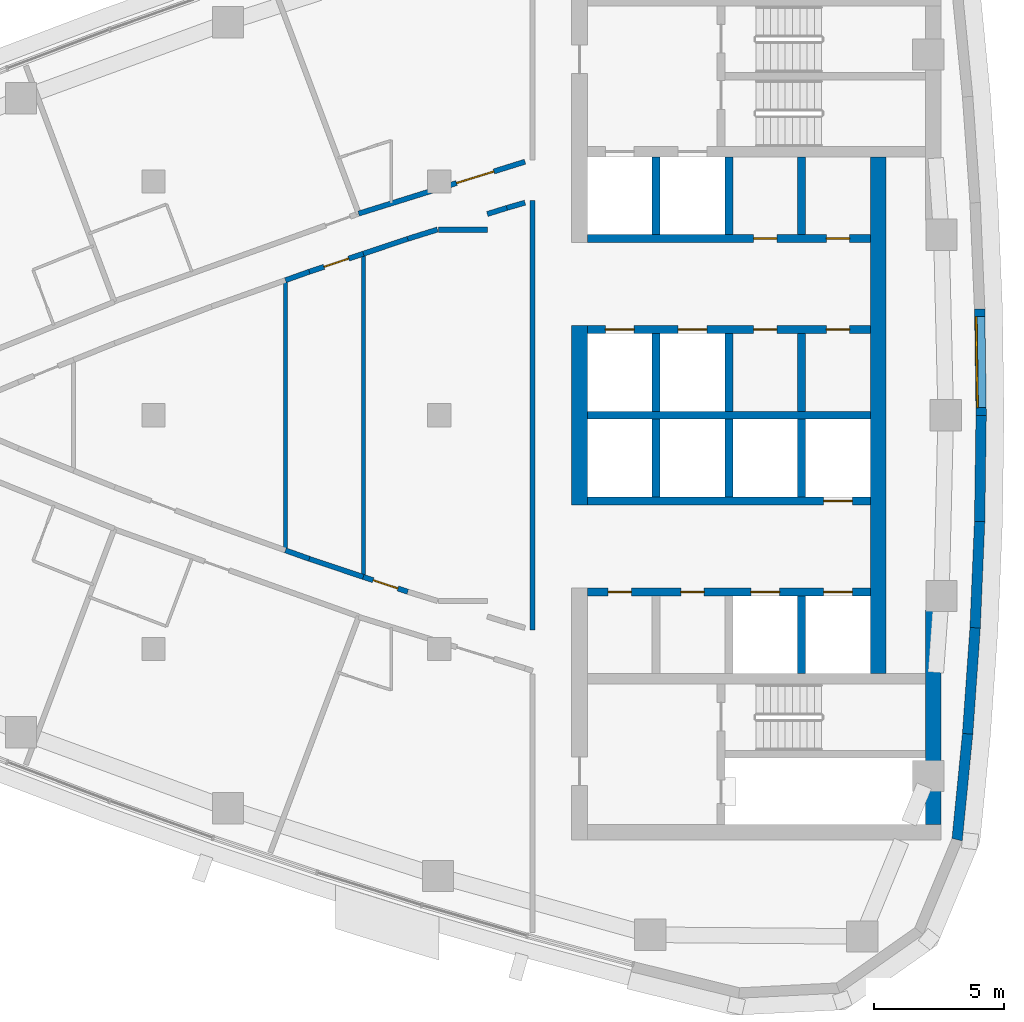
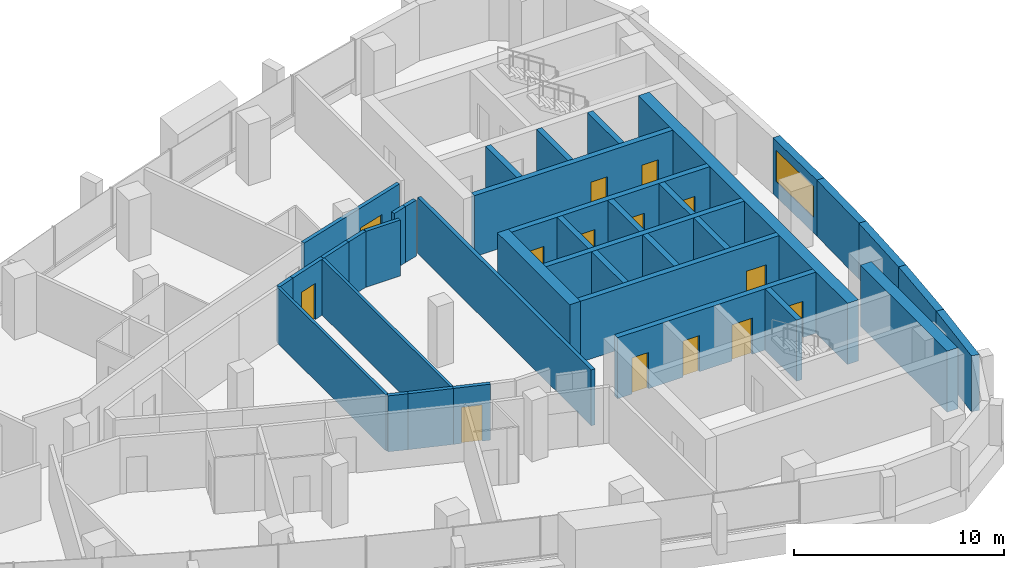
# One storey, part 10 of 15: 37 walls, 14 doors, 1 window, 15 openings.
"""IFC4 building model written with IfcOpenShell, lengths in metres."""

from ifc_helpers import new_model, si_unit, direction, frame, frame_2d, origin, place, context, subcontext, project, spatial, polyline, rectangle, outline, extrude, material, layer, layer_set, type_object, element, fill, save


model = new_model("IFC4")

# Units and contexts
model_context = context("Model", 3, precision=1e-05, world=origin(), true_north=direction((0.0, 1.0)))
body_context = subcontext(model_context, "Body", "Model", "MODEL_VIEW")
ifc_project = project(units=[si_unit("LENGTHUNIT", "METRE"), si_unit("AREAUNIT", "SQUARE_METRE"), si_unit("VOLUMEUNIT", "CUBIC_METRE"), si_unit("PLANEANGLEUNIT", "RADIAN"), si_unit("MASSUNIT", "GRAM", prefix="KILO")], contexts=[model_context])

# Site, building, storey
site_placement = place(None, origin())
site = spatial("IfcSite", under=ifc_project, at=site_placement, CompositionType="ELEMENT")
building_placement = place(site_placement, origin())
building = spatial("IfcBuilding", under=site, at=building_placement, Name="Ostrand Prow Hotel Tower", CompositionType="ELEMENT")
storey_placement = place(building_placement, frame((0.0, 0.0, 231.449951171875)))
storey = spatial("IfcBuildingStorey", under=building, at=storey_placement, Name="L58", CompositionType="ELEMENT", Elevation=231.449951171875)

# Wall
ifc_material_1 = material(Name="Concrete C50/60", Category="concrete")
ifc_layer_1 = layer(ifc_material_1, 0.300048828125)
ifc_layer_set_1 = layer_set([ifc_layer_1], Name="Concrete C50/60")
wall_type_1 = type_object("IfcWallType", Name="Core wall 300 C50/60", PredefinedType="SHEAR", material=ifc_layer_set_1)
wall_1_placement = place(storey_placement, frame((50.699951171875, 0.0, 0.0), z_axis=(0.0, 0.0, 1.0), x_axis=(1.0, 0.0, 0.0)))
element("IfcWall", 1, at=wall_1_placement, inside=storey, type_object=wall_type_1, Name="Core wall PW-C", PredefinedType="SHEAR", context=body_context, shape_type="SweptSolid", body=[
    extrude(rectangle(XDim=10.900146484375, YDim=0.300048828125, at=frame_2d((5.4501953125, 0.0))), origin(), (0.0, 0.0, 1.0), 3.550048828125),
])

# Wall, openings, doors
wall_2_placement = place(storey_placement, frame((50.699951171875, 3.300048828125, 0.0), z_axis=(0.0, 0.0, 1.0), x_axis=(1.0, 0.0, 0.0)))
wall_2 = element("IfcWall", 2, at=wall_2_placement, inside=storey, type_object=wall_type_1, Name="Core wall PW-L1-N", PredefinedType="SHEAR", context=body_context, shape_type="SweptSolid", body=[
    extrude(rectangle(XDim=10.900146484375, YDim=0.300048828125, at=frame_2d((5.4501953125, 0.0))), origin(), (0.0, 0.0, 1.0), 3.550048828125),
])
opening_1_placement = place(wall_2_placement, frame((0.699951171875, 0.0, 0.0)))
opening_1 = element("IfcOpeningElement", 3, at=opening_1_placement, cuts=wall_2, Name="Opening LD", PredefinedType="OPENING", context=body_context, shape_type="SweptSolid", body=[
    extrude(rectangle(XDim=1.10009765625, YDim=2.10009765625, at=frame_2d((0.550048828125, 1.050048828125))), frame((0.0, 0.159912109375, 0.0), z_axis=(0.0, -1.0, 0.0), x_axis=(1.0, 0.0, 0.0)), (0.0, 0.0, 1.0), 0.320068359375),
])
opening_2_placement = place(wall_2_placement, frame((3.5, 0.0, 0.0)))
opening_2 = element("IfcOpeningElement", 4, at=opening_2_placement, cuts=wall_2, Name="Opening LD", PredefinedType="OPENING", context=body_context, shape_type="SweptSolid", body=[
    extrude(rectangle(XDim=1.10009765625, YDim=2.10009765625, at=frame_2d((0.550048828125, 1.050048828125))), frame((0.0, 0.159912109375, 0.0), z_axis=(0.0, -1.0, 0.0), x_axis=(1.0, 0.0, 0.0)), (0.0, 0.0, 1.0), 0.320068359375),
])
opening_3_placement = place(wall_2_placement, frame((6.39990234375, 0.0, 0.0)))
opening_3 = element("IfcOpeningElement", 5, at=opening_3_placement, cuts=wall_2, Name="Opening FD2", PredefinedType="OPENING", context=body_context, shape_type="SweptSolid", body=[
    extrude(rectangle(XDim=0.89990234375, YDim=2.10009765625, at=frame_2d((0.449951171875, 1.050048828125))), frame((0.0, 0.159912109375, 0.0), z_axis=(0.0, -1.0, 0.0), x_axis=(1.0, 0.0, 0.0)), (0.0, 0.0, 1.0), 0.320068359375),
])
opening_4_placement = place(wall_2_placement, frame((9.199951171875, 0.0, 0.0)))
opening_4 = element("IfcOpeningElement", 6, at=opening_4_placement, cuts=wall_2, Name="Opening FD2", PredefinedType="OPENING", context=body_context, shape_type="SweptSolid", body=[
    extrude(rectangle(XDim=0.89990234375, YDim=2.10009765625, at=frame_2d((0.449951171875, 1.050048828125))), frame((0.0, 0.159912109375, 0.0), z_axis=(0.0, -1.0, 0.0), x_axis=(1.0, 0.0, 0.0)), (0.0, 0.0, 1.0), 0.320068359375),
])
ifc_material_2 = material(Name="Steel fire door", Category="steel")
door_type_1 = type_object("IfcDoorType", Name="Fire door 900 EI120", OperationType="SINGLE_SWING_LEFT", PredefinedType="DOOR", material=ifc_material_2)
door_1_placement = place(opening_3_placement, origin())
door_1 = element("IfcDoor", 7, at=door_1_placement, inside=storey, type_object=door_type_1, Name="DOOR", OperationType="SINGLE_SWING_LEFT", OverallHeight=2.10009765625, OverallWidth=0.89990234375, PredefinedType="DOOR", context=body_context, shape_type="SweptSolid", body=[
    extrude(rectangle(XDim=0.89990234375, YDim=2.10009765625, at=frame_2d((0.449951171875, 1.050048828125))), frame((0.0, 0.02490234375, 0.0), z_axis=(0.0, -1.0, 0.0), x_axis=(1.0, 0.0, 0.0)), (0.0, 0.0, 1.0), 0.050048828125),
])
fill(opening_3, door_1)
door_2_placement = place(opening_4_placement, origin())
door_2 = element("IfcDoor", 8, at=door_2_placement, inside=storey, type_object=door_type_1, Name="DOOR", OperationType="SINGLE_SWING_LEFT", OverallHeight=2.10009765625, OverallWidth=0.89990234375, PredefinedType="DOOR", context=body_context, shape_type="SweptSolid", body=[
    extrude(rectangle(XDim=0.89990234375, YDim=2.10009765625, at=frame_2d((0.449951171875, 1.050048828125))), frame((0.0, 0.02490234375, 0.0), z_axis=(0.0, -1.0, 0.0), x_axis=(1.0, 0.0, 0.0)), (0.0, 0.0, 1.0), 0.050048828125),
])
fill(opening_4, door_2)
ifc_material_3 = material(Name="Stainless steel door", Category="steel")
door_type_2 = type_object("IfcDoorType", Name="Lift landing door 1100", OperationType="DOUBLE_DOOR_SLIDING", PredefinedType="DOOR", material=ifc_material_3)
door_3_placement = place(opening_1_placement, origin())
door_3 = element("IfcDoor", 9, at=door_3_placement, inside=storey, type_object=door_type_2, Name="LIFT LANDING DOOR", OperationType="DOUBLE_DOOR_SLIDING", OverallHeight=2.10009765625, OverallWidth=1.10009765625, PredefinedType="DOOR", context=body_context, shape_type="SweptSolid", body=[
    extrude(rectangle(XDim=1.10009765625, YDim=2.10009765625, at=frame_2d((0.550048828125, 1.050048828125))), frame((0.0, 0.02490234375, 0.0), z_axis=(0.0, -1.0, 0.0), x_axis=(1.0, 0.0, 0.0)), (0.0, 0.0, 1.0), 0.050048828125),
])
fill(opening_1, door_3)
door_4_placement = place(opening_2_placement, origin())
door_4 = element("IfcDoor", 10, at=door_4_placement, inside=storey, type_object=door_type_2, Name="LIFT LANDING DOOR", OperationType="DOUBLE_DOOR_SLIDING", OverallHeight=2.10009765625, OverallWidth=1.10009765625, PredefinedType="DOOR", context=body_context, shape_type="SweptSolid", body=[
    extrude(rectangle(XDim=1.10009765625, YDim=2.10009765625, at=frame_2d((0.550048828125, 1.050048828125))), frame((0.0, 0.02490234375, 0.0), z_axis=(0.0, -1.0, 0.0), x_axis=(1.0, 0.0, 0.0)), (0.0, 0.0, 1.0), 0.050048828125),
])
fill(opening_2, door_4)

wall_3_placement = place(storey_placement, frame((50.699951171875, 6.800048828125, 0.0), z_axis=(0.0, 0.0, 1.0), x_axis=(1.0, 0.0, 0.0)))
wall_3 = element("IfcWall", 11, at=wall_3_placement, inside=storey, type_object=wall_type_1, Name="Core wall PW-L2-N", PredefinedType="SHEAR", context=body_context, shape_type="SweptSolid", body=[
    extrude(rectangle(XDim=10.900146484375, YDim=0.300048828125, at=frame_2d((5.4501953125, 0.0))), origin(), (0.0, 0.0, 1.0), 3.550048828125),
])
opening_5_placement = place(wall_3_placement, frame((6.39990234375, 0.0, 0.0)))
opening_5 = element("IfcOpeningElement", 12, at=opening_5_placement, cuts=wall_3, Name="Opening FD2", PredefinedType="OPENING", context=body_context, shape_type="SweptSolid", body=[
    extrude(rectangle(XDim=0.89990234375, YDim=2.10009765625, at=frame_2d((0.449951171875, 1.050048828125))), frame((0.0, 0.159912109375, 0.0), z_axis=(0.0, -1.0, 0.0), x_axis=(1.0, 0.0, 0.0)), (0.0, 0.0, 1.0), 0.320068359375),
])
opening_6_placement = place(wall_3_placement, frame((9.199951171875, 0.0, 0.0)))
opening_6 = element("IfcOpeningElement", 13, at=opening_6_placement, cuts=wall_3, Name="Opening FD2", PredefinedType="OPENING", context=body_context, shape_type="SweptSolid", body=[
    extrude(rectangle(XDim=0.89990234375, YDim=2.10009765625, at=frame_2d((0.449951171875, 1.050048828125))), frame((0.0, 0.159912109375, 0.0), z_axis=(0.0, -1.0, 0.0), x_axis=(1.0, 0.0, 0.0)), (0.0, 0.0, 1.0), 0.320068359375),
])
door_5_placement = place(opening_5_placement, origin())
door_5 = element("IfcDoor", 14, at=door_5_placement, inside=storey, type_object=door_type_1, Name="DOOR", OperationType="SINGLE_SWING_LEFT", OverallHeight=2.10009765625, OverallWidth=0.89990234375, PredefinedType="DOOR", context=body_context, shape_type="SweptSolid", body=[
    extrude(rectangle(XDim=0.89990234375, YDim=2.10009765625, at=frame_2d((0.449951171875, 1.050048828125))), frame((0.0, 0.02490234375, 0.0), z_axis=(0.0, -1.0, 0.0), x_axis=(1.0, 0.0, 0.0)), (0.0, 0.0, 1.0), 0.050048828125),
])
fill(opening_5, door_5)
door_6_placement = place(opening_6_placement, origin())
door_6 = element("IfcDoor", 15, at=door_6_placement, inside=storey, type_object=door_type_1, Name="DOOR", OperationType="SINGLE_SWING_LEFT", OverallHeight=2.10009765625, OverallWidth=0.89990234375, PredefinedType="DOOR", context=body_context, shape_type="SweptSolid", body=[
    extrude(rectangle(XDim=0.89990234375, YDim=2.10009765625, at=frame_2d((0.449951171875, 1.050048828125))), frame((0.0, 0.02490234375, 0.0), z_axis=(0.0, -1.0, 0.0), x_axis=(1.0, 0.0, 0.0)), (0.0, 0.0, 1.0), 0.050048828125),
])
fill(opening_6, door_6)

# Walls
for number, where, z_axis, x_axis, name in (
    (16, (53.35009765625, 0.14990234375, 0.0), (0.0, 0.0, 1.0), (0.0, 1.0, 0.0), "Core wall PW-R1-NB"),
    (17, (53.35009765625, 6.949951171875, 0.0), (0.0, 0.0, 1.0), (0.0, 1.0, 0.0), "Core wall PW-R1-NA"),
    (18, (56.14990234375, 0.14990234375, 0.0), (0.0, 0.0, 1.0), (0.0, 1.0, 0.0), "Core wall PW-R2-NB"),
    (19, (56.14990234375, 6.949951171875, 0.0), (0.0, 0.0, 1.0), (0.0, 1.0, 0.0), "Core wall PW-R2-NA"),
    (20, (58.949951171875, 0.14990234375, 0.0), (0.0, 0.0, 1.0), (0.0, 1.0, 0.0), "Core wall PW-R3-NB"),
    (21, (58.949951171875, 6.949951171875, 0.0), (0.0, 0.0, 1.0), (0.0, 1.0, 0.0), "Core wall PW-R3-NA"),
):
    element("IfcWall", number, at=place(storey_placement, frame(where, z_axis=z_axis, x_axis=x_axis)), inside=storey, type_object=wall_type_1, Name=name, PredefinedType="SHEAR", context=body_context, shape_type="SweptSolid", body=[
        extrude(rectangle(XDim=3.0, YDim=0.300048828125, at=frame_2d((1.5, 0.0))), origin(), (0.0, 0.0, 1.0), 3.550048828125),
    ])

# Wall, opening, door
wall_4_placement = place(storey_placement, frame((50.699951171875, -3.300048828125, 0.0), z_axis=(0.0, 0.0, 1.0), x_axis=(1.0, 0.0, 0.0)))
wall_4 = element("IfcWall", 22, at=wall_4_placement, inside=storey, type_object=wall_type_1, Name="Core wall PW-L1-S", PredefinedType="SHEAR", context=body_context, shape_type="SweptSolid", body=[
    extrude(rectangle(XDim=10.900146484375, YDim=0.300048828125, at=frame_2d((5.4501953125, 0.0))), origin(), (0.0, 0.0, 1.0), 3.550048828125),
])
opening_7_placement = place(wall_4_placement, frame((9.10009765625, 0.0, 0.0)))
opening_7 = element("IfcOpeningElement", 23, at=opening_7_placement, cuts=wall_4, Name="Opening LD", PredefinedType="OPENING", context=body_context, shape_type="SweptSolid", body=[
    extrude(rectangle(XDim=1.10009765625, YDim=2.10009765625, at=frame_2d((0.550048828125, 1.050048828125))), frame((0.0, 0.159912109375, 0.0), z_axis=(0.0, -1.0, 0.0), x_axis=(1.0, 0.0, 0.0)), (0.0, 0.0, 1.0), 0.320068359375),
])
door_7_placement = place(opening_7_placement, origin())
door_7 = element("IfcDoor", 24, at=door_7_placement, inside=storey, type_object=door_type_2, Name="LIFT LANDING DOOR", OperationType="DOUBLE_DOOR_SLIDING", OverallHeight=2.10009765625, OverallWidth=1.10009765625, PredefinedType="DOOR", context=body_context, shape_type="SweptSolid", body=[
    extrude(rectangle(XDim=1.10009765625, YDim=2.10009765625, at=frame_2d((0.550048828125, 1.050048828125))), frame((0.0, 0.02490234375, 0.0), z_axis=(0.0, -1.0, 0.0), x_axis=(1.0, 0.0, 0.0)), (0.0, 0.0, 1.0), 0.050048828125),
])
fill(opening_7, door_7)

# Wall, openings, doors
wall_5_placement = place(storey_placement, frame((50.699951171875, -6.800048828125, 0.0), z_axis=(0.0, 0.0, 1.0), x_axis=(1.0, 0.0, 0.0)))
wall_5 = element("IfcWall", 25, at=wall_5_placement, inside=storey, type_object=wall_type_1, Name="Core wall PW-L2-S", PredefinedType="SHEAR", context=body_context, shape_type="SweptSolid", body=[
    extrude(rectangle(XDim=10.900146484375, YDim=0.300048828125, at=frame_2d((5.4501953125, 0.0))), origin(), (0.0, 0.0, 1.0), 3.550048828125),
])
opening_8_placement = place(wall_5_placement, frame((6.300048828125, 0.0, 0.0)))
opening_8 = element("IfcOpeningElement", 26, at=opening_8_placement, cuts=wall_5, Name="Opening LD", PredefinedType="OPENING", context=body_context, shape_type="SweptSolid", body=[
    extrude(rectangle(XDim=1.10009765625, YDim=2.10009765625, at=frame_2d((0.550048828125, 1.050048828125))), frame((0.0, 0.159912109375, 0.0), z_axis=(0.0, -1.0, 0.0), x_axis=(1.0, 0.0, 0.0)), (0.0, 0.0, 1.0), 0.320068359375),
])
opening_9_placement = place(wall_5_placement, frame((9.10009765625, 0.0, 0.0)))
opening_9 = element("IfcOpeningElement", 27, at=opening_9_placement, cuts=wall_5, Name="Opening LD", PredefinedType="OPENING", context=body_context, shape_type="SweptSolid", body=[
    extrude(rectangle(XDim=1.10009765625, YDim=2.10009765625, at=frame_2d((0.550048828125, 1.050048828125))), frame((0.0, 0.159912109375, 0.0), z_axis=(0.0, -1.0, 0.0), x_axis=(1.0, 0.0, 0.0)), (0.0, 0.0, 1.0), 0.320068359375),
])
opening_10_placement = place(wall_5_placement, frame((0.800048828125, 0.0, 0.0)))
opening_10 = element("IfcOpeningElement", 28, at=opening_10_placement, cuts=wall_5, Name="Opening FD2", PredefinedType="OPENING", context=body_context, shape_type="SweptSolid", body=[
    extrude(rectangle(XDim=0.89990234375, YDim=2.10009765625, at=frame_2d((0.449951171875, 1.050048828125))), frame((0.0, 0.159912109375, 0.0), z_axis=(0.0, -1.0, 0.0), x_axis=(1.0, 0.0, 0.0)), (0.0, 0.0, 1.0), 0.320068359375),
])
opening_11_placement = place(wall_5_placement, frame((3.60009765625, 0.0, 0.0)))
opening_11 = element("IfcOpeningElement", 29, at=opening_11_placement, cuts=wall_5, Name="Opening FD2", PredefinedType="OPENING", context=body_context, shape_type="SweptSolid", body=[
    extrude(rectangle(XDim=0.89990234375, YDim=2.10009765625, at=frame_2d((0.449951171875, 1.050048828125))), frame((0.0, 0.159912109375, 0.0), z_axis=(0.0, -1.0, 0.0), x_axis=(1.0, 0.0, 0.0)), (0.0, 0.0, 1.0), 0.320068359375),
])
door_8_placement = place(opening_10_placement, origin())
door_8 = element("IfcDoor", 30, at=door_8_placement, inside=storey, type_object=door_type_1, Name="DOOR", OperationType="SINGLE_SWING_LEFT", OverallHeight=2.10009765625, OverallWidth=0.89990234375, PredefinedType="DOOR", context=body_context, shape_type="SweptSolid", body=[
    extrude(rectangle(XDim=0.89990234375, YDim=2.10009765625, at=frame_2d((0.449951171875, 1.050048828125))), frame((0.0, 0.02490234375, 0.0), z_axis=(0.0, -1.0, 0.0), x_axis=(1.0, 0.0, 0.0)), (0.0, 0.0, 1.0), 0.050048828125),
])
fill(opening_10, door_8)
door_9_placement = place(opening_11_placement, origin())
door_9 = element("IfcDoor", 31, at=door_9_placement, inside=storey, type_object=door_type_1, Name="DOOR", OperationType="SINGLE_SWING_LEFT", OverallHeight=2.10009765625, OverallWidth=0.89990234375, PredefinedType="DOOR", context=body_context, shape_type="SweptSolid", body=[
    extrude(rectangle(XDim=0.89990234375, YDim=2.10009765625, at=frame_2d((0.449951171875, 1.050048828125))), frame((0.0, 0.02490234375, 0.0), z_axis=(0.0, -1.0, 0.0), x_axis=(1.0, 0.0, 0.0)), (0.0, 0.0, 1.0), 0.050048828125),
])
fill(opening_11, door_9)
door_10_placement = place(opening_8_placement, origin())
door_10 = element("IfcDoor", 32, at=door_10_placement, inside=storey, type_object=door_type_2, Name="LIFT LANDING DOOR", OperationType="DOUBLE_DOOR_SLIDING", OverallHeight=2.10009765625, OverallWidth=1.10009765625, PredefinedType="DOOR", context=body_context, shape_type="SweptSolid", body=[
    extrude(rectangle(XDim=1.10009765625, YDim=2.10009765625, at=frame_2d((0.550048828125, 1.050048828125))), frame((0.0, 0.02490234375, 0.0), z_axis=(0.0, -1.0, 0.0), x_axis=(1.0, 0.0, 0.0)), (0.0, 0.0, 1.0), 0.050048828125),
])
fill(opening_8, door_10)
door_11_placement = place(opening_9_placement, origin())
door_11 = element("IfcDoor", 33, at=door_11_placement, inside=storey, type_object=door_type_2, Name="LIFT LANDING DOOR", OperationType="DOUBLE_DOOR_SLIDING", OverallHeight=2.10009765625, OverallWidth=1.10009765625, PredefinedType="DOOR", context=body_context, shape_type="SweptSolid", body=[
    extrude(rectangle(XDim=1.10009765625, YDim=2.10009765625, at=frame_2d((0.550048828125, 1.050048828125))), frame((0.0, 0.02490234375, 0.0), z_axis=(0.0, -1.0, 0.0), x_axis=(1.0, 0.0, 0.0)), (0.0, 0.0, 1.0), 0.050048828125),
])
fill(opening_9, door_11)

# Walls
for number, where, z_axis, x_axis, name in (
    (34, (53.35009765625, -3.14990234375, 0.0), (0.0, 0.0, 1.0), (0.0, 1.0, 0.0), "Core wall PW-R1-SB"),
    (35, (56.14990234375, -3.14990234375, 0.0), (0.0, 0.0, 1.0), (0.0, 1.0, 0.0), "Core wall PW-R2-SB"),
    (36, (58.949951171875, -3.14990234375, 0.0), (0.0, 0.0, 1.0), (0.0, 1.0, 0.0), "Core wall PW-R3-SB"),
    (37, (58.949951171875, -9.949951171875, 0.0), (0.0, 0.0, 1.0), (0.0, 1.0, 0.0), "Core wall PW-R3-SA"),
):
    element("IfcWall", number, at=place(storey_placement, frame(where, z_axis=z_axis, x_axis=x_axis)), inside=storey, type_object=wall_type_1, Name=name, PredefinedType="SHEAR", context=body_context, shape_type="SweptSolid", body=[
        extrude(rectangle(XDim=3.0, YDim=0.300048828125, at=frame_2d((1.5, 0.0))), origin(), (0.0, 0.0, 1.0), 3.550048828125),
    ])
ifc_material_4 = material(Name="Concrete C50/60", Category="concrete")
ifc_layer_2 = layer(ifc_material_4, 0.60009765625)
ifc_layer_set_2 = layer_set([ifc_layer_2], Name="Concrete C50/60")
wall_type_2 = type_object("IfcWallType", Name="Core wall 600 C50/60", PredefinedType="SHEAR", material=ifc_layer_set_2)
wall_6_placement = place(storey_placement, frame((50.39990234375, -3.449951171875, 0.0), z_axis=(0.0, 0.0, 1.0), x_axis=(0.0, 1.0, 0.0)))
element("IfcWall", 38, at=wall_6_placement, inside=storey, type_object=wall_type_2, Name="Core wall CW-W-C", PredefinedType="SHEAR", context=body_context, shape_type="SweptSolid", body=[
    extrude(rectangle(XDim=6.89990234375, YDim=0.60009765625, at=frame_2d((3.449951171875, 0.0))), origin(), (0.0, 0.0, 1.0), 3.550048828125),
])
wall_7_placement = place(storey_placement, frame((64.02001953125, -15.75, 0.0), z_axis=(0.0, 0.0, 1.0), x_axis=(0.0, 1.0, 0.0)))
element("IfcWall", 39, at=wall_7_placement, inside=storey, type_object=wall_type_2, Name="Core wall CW-E-S", PredefinedType="SHEAR", context=body_context, shape_type="SweptSolid", body=[
    extrude(rectangle(XDim=8.247802734375, YDim=0.60009765625, at=frame_2d((4.1240234375, 0.0))), origin(), (0.0, 0.0, 1.0), 3.550048828125),
])
wall_8_placement = place(storey_placement, frame((61.89990234375, -9.949951171875, 0.0), z_axis=(0.0, 0.0, 1.0), x_axis=(0.0, 1.0, 0.0)))
element("IfcWall", 40, at=wall_8_placement, inside=storey, type_object=wall_type_2, Name="Core wall CW-E-C", PredefinedType="SHEAR", context=body_context, shape_type="SweptSolid", body=[
    extrude(rectangle(XDim=19.89990234375, YDim=0.60009765625, at=frame_2d((9.949951171875, 0.0))), origin(), (0.0, 0.0, 1.0), 3.550048828125),
])
ifc_material_5 = material(Name="Plasterboard partition")
ifc_layer_3 = layer(ifc_material_5, 0.14990234375)
ifc_layer_set_3 = layer_set([ifc_layer_3], Name="Plasterboard partition")
wall_type_3 = type_object("IfcWallType", Name="Partition 150 room partition", PredefinedType="PARTITIONING", material=ifc_layer_set_3)
wall_9_placement = place(storey_placement, frame((39.078369140625, -5.198974609375, 0.0), z_axis=(0.0, 0.0, 1.0), x_axis=(0.0, 1.0, 0.0)))
element("IfcWall", 41, at=wall_9_placement, inside=storey, type_object=wall_type_3, Name="ROOM PARTITION", PredefinedType="PARTITIONING", context=body_context, shape_type="SweptSolid", body=[
    extrude(rectangle(XDim=10.39794921875, YDim=0.14990234375, at=frame_2d((5.198974609375, 0.0))), origin(), (0.0, 0.0, 1.0), 3.25),
])
wall_10_placement = place(storey_placement, frame((42.078369140625, -6.221923828125, 0.0), z_axis=(0.0, 0.0, 1.0), x_axis=(0.0, 1.0, 0.0)))
element("IfcWall", 42, at=wall_10_placement, inside=storey, type_object=wall_type_3, Name="ROOM PARTITION", PredefinedType="PARTITIONING", context=body_context, shape_type="SweptSolid", body=[
    extrude(rectangle(XDim=12.44384765625, YDim=0.14990234375, at=frame_2d((6.221923828125, 0.0))), origin(), (0.0, 0.0, 1.0), 3.25),
])

# Wall, opening, door
ifc_material_6 = material(Name="Plasterboard partition")
ifc_layer_4 = layer(ifc_material_6, 0.199951171875)
ifc_layer_set_4 = layer_set([ifc_layer_4], Name="Plasterboard partition")
wall_type_4 = type_object("IfcWallType", Name="Partition 200 corridor wall", PredefinedType="PARTITIONING", material=ifc_layer_set_4)
wall_11_placement = place(storey_placement, frame((39.999267578125, 5.52734375, 0.0), z_axis=(0.0, 0.0, 1.0), x_axis=(0.9484714727, 0.316862534034, 0.0)))
wall_11 = element("IfcWall", 43, at=wall_11_placement, inside=storey, type_object=wall_type_4, Name="CORRIDOR WALL", PredefinedType="PARTITIONING", context=body_context, shape_type="SweptSolid", body=[
    extrude(rectangle(XDim=2.192138671875, YDim=0.199951171875, at=frame_2d((1.09619140625, 0.0))), origin(), (0.0, 0.0, 1.0), 3.25),
])
opening_12_placement = place(wall_11_placement, frame((0.595947265625, 0.0, 0.0)))
opening_12 = element("IfcOpeningElement", 44, at=opening_12_placement, cuts=wall_11, Name="Opening D1R", PredefinedType="OPENING", context=body_context, shape_type="SweptSolid", body=[
    extrude(rectangle(XDim=1.0, YDim=2.10009765625, at=frame_2d((0.5, 1.050048828125))), frame((0.0, 0.10986328125, 0.0), z_axis=(0.0, -1.0, 0.0), x_axis=(1.0, 0.0, 0.0)), (0.0, 0.0, 1.0), 0.219970703125),
])
ifc_material_7 = material(Name="Timber door leaf", Category="wood")
door_type_3 = type_object("IfcDoorType", Name="Guest room door 1000 right", OperationType="SINGLE_SWING_RIGHT", PredefinedType="DOOR", material=ifc_material_7)
door_12_placement = place(opening_12_placement, origin())
door_12 = element("IfcDoor", 45, at=door_12_placement, inside=storey, type_object=door_type_3, Name="DOOR", OperationType="SINGLE_SWING_RIGHT", OverallHeight=2.10009765625, OverallWidth=1.0, PredefinedType="DOOR", context=body_context, shape_type="SweptSolid", body=[
    extrude(rectangle(XDim=1.0, YDim=2.10009765625, at=frame_2d((0.5, 1.050048828125))), frame((0.0, 0.02490234375, 0.0), z_axis=(0.0, -1.0, 0.0), x_axis=(1.0, 0.0, 0.0)), (0.0, 0.0, 1.0), 0.050048828125),
])
fill(opening_12, door_12)

# Walls
wall_12_placement = place(storey_placement, frame((42.078369140625, -6.221923828125, 0.0), z_axis=(0.0, 0.0, 1.0), x_axis=(-0.9484714727, 0.316862534034, 0.0)))
element("IfcWall", 46, at=wall_12_placement, inside=storey, type_object=wall_type_4, Name="CORRIDOR WALL", PredefinedType="PARTITIONING", context=body_context, shape_type="SweptSolid", body=[
    extrude(rectangle(XDim=2.192138671875, YDim=0.199951171875, at=frame_2d((1.09619140625, 0.0))), origin(), (0.0, 0.0, 1.0), 3.25),
])
for number, where, z_axis, x_axis, name in (
    (47, (39.999267578125, -5.52734375, 0.0), (0.0, 0.0, 1.0), (-0.941911279377, 0.335861789704, 0.0), "CORRIDOR WALL"),
    (48, (39.078369140625, 5.198974609375, 0.0), (0.0, 0.0, 1.0), (0.941911279377, 0.335861789704, 0.0), "CORRIDOR WALL"),
):
    element("IfcWall", number, at=place(storey_placement, frame(where, z_axis=z_axis, x_axis=x_axis)), inside=storey, type_object=wall_type_4, Name=name, PredefinedType="PARTITIONING", context=body_context, shape_type="SweptSolid", body=[
        extrude(rectangle(XDim=0.977783203125, YDim=0.199951171875, at=frame_2d((0.48876953125, 0.0))), origin(), (0.0, 0.0, 1.0), 3.25),
    ])

# Wall, opening, door
wall_13_placement = place(storey_placement, frame((43.788330078125, -6.793212890625, 0.0), z_axis=(0.0, 0.0, 1.0), x_axis=(-0.948466406859, 0.316877697323, 0.0)))
wall_13 = element("IfcWall", 49, at=wall_13_placement, inside=storey, type_object=wall_type_4, Name="CORRIDOR WALL", PredefinedType="PARTITIONING", context=body_context, shape_type="SweptSolid", body=[
    extrude(rectangle(XDim=1.802978515625, YDim=0.199951171875, at=frame_2d((0.9013671875, 0.0))), origin(), (0.0, 0.0, 1.0), 3.25),
])
opening_13_placement = place(wall_13_placement, frame((0.401611328125, 0.0, 0.0)))
opening_13 = element("IfcOpeningElement", 50, at=opening_13_placement, cuts=wall_13, Name="Opening D1", PredefinedType="OPENING", context=body_context, shape_type="SweptSolid", body=[
    extrude(rectangle(XDim=1.0, YDim=2.10009765625, at=frame_2d((0.5, 1.050048828125))), frame((0.0, 0.10986328125, 0.0), z_axis=(0.0, -1.0, 0.0), x_axis=(1.0, 0.0, 0.0)), (0.0, 0.0, 1.0), 0.219970703125),
])
ifc_material_8 = material(Name="Timber door leaf", Category="wood")
door_type_4 = type_object("IfcDoorType", Name="Guest room door 1000", OperationType="SINGLE_SWING_LEFT", PredefinedType="DOOR", material=ifc_material_8)
door_13_placement = place(opening_13_placement, origin())
door_13 = element("IfcDoor", 51, at=door_13_placement, inside=storey, type_object=door_type_4, Name="DOOR", OperationType="SINGLE_SWING_LEFT", OverallHeight=2.10009765625, OverallWidth=1.0, PredefinedType="DOOR", context=body_context, shape_type="SweptSolid", body=[
    extrude(rectangle(XDim=1.0, YDim=2.10009765625, at=frame_2d((0.5, 1.050048828125))), frame((0.0, 0.02490234375, 0.0), z_axis=(0.0, -1.0, 0.0), x_axis=(1.0, 0.0, 0.0)), (0.0, 0.0, 1.0), 0.050048828125),
])
fill(opening_13, door_13)

# Walls
wall_14_placement = place(storey_placement, frame((43.788330078125, 6.793212890625, 0.0), z_axis=(0.0, 0.0, 1.0), x_axis=(0.954693570678, 0.29759063511, 0.0)))
element("IfcWall", 52, at=wall_14_placement, inside=storey, type_object=wall_type_4, Name="CORRIDOR WALL", PredefinedType="PARTITIONING", context=body_context, shape_type="SweptSolid", body=[
    extrude(rectangle(XDim=1.198486328125, YDim=0.199951171875, at=frame_2d((0.59912109375, 0.0))), origin(), (0.0, 0.0, 1.0), 3.25),
])
wall_15_placement = place(storey_placement, frame((46.85009765625, 7.747802734375, 0.0), z_axis=(0.0, 0.0, 1.0), x_axis=(0.95461224237, 0.297851417181, 0.0)))
element("IfcWall", 53, at=wall_15_placement, inside=storey, type_object=wall_type_4, Name="CORRIDOR WALL", PredefinedType="PARTITIONING", context=body_context, shape_type="SweptSolid", body=[
    extrude(rectangle(XDim=0.78759765625, YDim=0.199951171875, at=frame_2d((0.393798828125, 0.0))), origin(), (0.0, 0.0, 1.0), 3.25),
])
wall_16_placement = place(storey_placement, frame((42.078369140625, 6.221923828125, 0.0), z_axis=(0.0, 0.0, 1.0), x_axis=(0.948466406859, 0.316877697323, 0.0)))
element("IfcWall", 54, at=wall_16_placement, inside=storey, type_object=wall_type_4, Name="CORRIDOR WALL", PredefinedType="PARTITIONING", context=body_context, shape_type="SweptSolid", body=[
    extrude(rectangle(XDim=1.802978515625, YDim=0.199951171875, at=frame_2d((0.9013671875, 0.0))), origin(), (0.0, 0.0, 1.0), 3.25),
])

# Wall, opening, door
wall_17_placement = place(storey_placement, frame((41.8984375, 7.764404296875, 0.0), z_axis=(0.0, 0.0, 1.0), x_axis=(0.954667015156, 0.297675813886, 0.0)))
wall_17 = element("IfcWall", 55, at=wall_17_placement, inside=storey, type_object=wall_type_4, Name="CORRIDOR WALL", PredefinedType="PARTITIONING", context=body_context, shape_type="SweptSolid", body=[
    extrude(rectangle(XDim=6.70556640625, YDim=0.199951171875, at=frame_2d((3.352783203125, 0.0))), origin(), (0.0, 0.0, 1.0), 3.25),
])
opening_14_placement = place(wall_17_placement, frame((3.949951171875, 0.0, 0.0)))
opening_14 = element("IfcOpeningElement", 56, at=opening_14_placement, cuts=wall_17, Name="Opening D15", PredefinedType="OPENING", context=body_context, shape_type="SweptSolid", body=[
    extrude(rectangle(XDim=1.5, YDim=2.10009765625, at=frame_2d((0.75, 1.050048828125))), frame((0.0, 0.10986328125, 0.0), z_axis=(0.0, -1.0, 0.0), x_axis=(1.0, 0.0, 0.0)), (0.0, 0.0, 1.0), 0.219970703125),
])
ifc_material_9 = material(Name="Timber door leaf", Category="wood")
door_type_5 = type_object("IfcDoorType", Name="Double door 1500", OperationType="DOUBLE_DOOR_SINGLE_SWING", PredefinedType="DOOR", material=ifc_material_9)
door_14_placement = place(opening_14_placement, origin())
door_14 = element("IfcDoor", 57, at=door_14_placement, inside=storey, type_object=door_type_5, Name="DOOR", OperationType="DOUBLE_DOOR_SINGLE_SWING", OverallHeight=2.10009765625, OverallWidth=1.5, PredefinedType="DOOR", context=body_context, shape_type="SweptSolid", body=[
    extrude(rectangle(XDim=1.5, YDim=2.10009765625, at=frame_2d((0.75, 1.050048828125))), frame((0.0, 0.02490234375, 0.0), z_axis=(0.0, -1.0, 0.0), x_axis=(1.0, 0.0, 0.0)), (0.0, 0.0, 1.0), 0.050048828125),
])
fill(opening_14, door_14)

# Walls
wall_18_placement = place(storey_placement, frame((47.60205078125, 7.982421875, 0.0), z_axis=(0.0, 0.0, 1.0), x_axis=(0.960439023181, 0.278490363839, 0.0)))
element("IfcWall", 58, at=wall_18_placement, inside=storey, type_object=wall_type_4, Name="CORRIDOR WALL", PredefinedType="PARTITIONING", context=body_context, shape_type="SweptSolid", body=[
    extrude(rectangle(XDim=0.726806640625, YDim=0.199951171875, at=frame_2d((0.36328125, 0.0))), origin(), (0.0, 0.0, 1.0), 3.25),
])
wall_19_placement = place(storey_placement, frame((44.972412109375, 7.14501953125, 0.0), z_axis=(0.0, 0.0, 1.0), x_axis=(0.99999999156, 0.000129920747, 0.0)))
element("IfcWall", 59, at=wall_19_placement, inside=storey, type_object=wall_type_4, Name="CORRIDOR WALL", PredefinedType="PARTITIONING", context=body_context, shape_type="SweptSolid", body=[
    extrude(rectangle(XDim=1.879150390625, YDim=0.199951171875, at=frame_2d((0.939453125, 0.0))), origin(), (0.0, 0.0, 1.0), 3.25),
])
wall_20_placement = place(storey_placement, frame((48.594970703125, 8.264892578125, 0.0), z_axis=(0.0, 0.0, 1.0), x_axis=(0.0, -1.0, 0.0)))
element("IfcWall", 60, at=wall_20_placement, inside=storey, type_object=wall_type_4, Name="CORRIDOR WALL", PredefinedType="PARTITIONING", context=body_context, shape_type="SweptSolid", body=[
    extrude(rectangle(XDim=16.52978515625, YDim=0.199951171875, at=frame_2d((8.264892578125, 0.0))), origin(), (0.0, 0.0, 1.0), 3.25),
])
ifc_material_10 = material(Name="Precast concrete C40/50", Category="concrete")
ifc_layer_5 = layer(ifc_material_10, 0.39990234375)
ifc_layer_set_5 = layer_set([ifc_layer_5], Name="Precast concrete C40/50")
wall_type_5 = type_object("IfcWallType", Name="Stone-faced precast wall 400 mm", PredefinedType="NOTDEFINED", material=ifc_layer_set_5)
wall_21_placement = place(storey_placement, frame((64.9375, -16.33740234375, 0.0), z_axis=(0.0, 0.0, 1.0), x_axis=(0.098718218066, 0.995115427185, 0.0)))
element("IfcWall", 61, at=wall_21_placement, inside=storey, type_object=wall_type_5, Name="Stone-faced wall back 5", PredefinedType="NOTDEFINED", context=body_context, shape_type="SweptSolid", body=[
    extrude(outline(polyline([(-0.02978515625, -0.199951171875), (4.095703125, -0.199951171875), (4.09033203125, 0.199951171875), (0.02978515625, 0.199951171875), (-0.02978515625, -0.199951171875)])), origin(), (0.0, 0.0, 1.0), 3.25),
])
wall_22_placement = place(storey_placement, frame((65.341552734375, -12.264404296875, 0.0), z_axis=(0.0, 0.0, 1.0), x_axis=(0.070623905352, 0.997503014528, 0.0)))
element("IfcWall", 62, at=wall_22_placement, inside=storey, type_object=wall_type_5, Name="Stone-faced wall back 6", PredefinedType="NOTDEFINED", context=body_context, shape_type="SweptSolid", body=[
    extrude(outline(polyline([(-0.002685546875, -0.199951171875), (4.095703125, -0.199951171875), (4.09033203125, 0.199951171875), (0.002685546875, 0.199951171875), (-0.002685546875, -0.199951171875)])), origin(), (0.0, 0.0, 1.0), 3.25),
])
wall_23_placement = place(storey_placement, frame((65.630615234375, -8.181640625, 0.0), z_axis=(0.0, 0.0, 1.0), x_axis=(0.042352554594, 0.999102728011, 0.0)))
element("IfcWall", 63, at=wall_23_placement, inside=storey, type_object=wall_type_5, Name="Stone-faced wall back 7", PredefinedType="NOTDEFINED", context=body_context, shape_type="SweptSolid", body=[
    extrude(outline(polyline([(-0.002685546875, -0.199951171875), (4.095458984375, -0.199951171875), (4.090087890625, 0.199951171875), (0.002685546875, 0.199951171875), (-0.002685546875, -0.199951171875)])), origin(), (0.0, 0.0, 1.0), 3.25),
])
wall_24_placement = place(storey_placement, frame((65.803955078125, -4.092529296875, 0.0), z_axis=(0.0, 0.0, 1.0), x_axis=(0.014136867892, 0.99990006949, 0.0)))
element("IfcWall", 64, at=wall_24_placement, inside=storey, type_object=wall_type_5, Name="Stone-faced wall back 8", PredefinedType="NOTDEFINED", context=body_context, shape_type="SweptSolid", body=[
    extrude(outline(polyline([(-0.002685546875, -0.199951171875), (4.095703125, -0.199951171875), (4.09033203125, 0.199951171875), (0.002685546875, 0.199951171875), (-0.002685546875, -0.199951171875)])), origin(), (0.0, 0.0, 1.0), 3.25),
])

# Wall, opening, window
wall_25_placement = place(storey_placement, frame((65.86181640625, 0.0, 0.0), z_axis=(0.0, 0.0, 1.0), x_axis=(-0.014136867892, 0.99990006949, 0.0)))
wall_25 = element("IfcWall", 65, at=wall_25_placement, inside=storey, type_object=wall_type_5, Name="Stone-faced wall back 9", PredefinedType="NOTDEFINED", context=body_context, shape_type="SweptSolid", body=[
    extrude(outline(polyline([(-0.002685546875, -0.199951171875), (4.095703125, -0.199951171875), (4.09033203125, 0.199951171875), (0.002685546875, 0.199951171875), (-0.002685546875, -0.199951171875)])), origin(), (0.0, 0.0, 1.0), 3.25),
])
opening_15_placement = place(wall_25_placement, frame((0.29638671875, 0.0, 0.89990234375)))
opening_15 = element("IfcOpeningElement", 66, at=opening_15_placement, cuts=wall_25, Name="Opening WS3-35", PredefinedType="OPENING", context=body_context, shape_type="SweptSolid", body=[
    extrude(rectangle(XDim=3.5, YDim=1.800048828125, at=frame_2d((1.75, 0.89990234375))), frame((0.0, 0.2099609375, 0.0), z_axis=(0.0, -1.0, 0.0), x_axis=(1.0, 0.0, 0.0)), (0.0, 0.0, 1.0), 0.419921875),
])
ifc_material_11 = material(Name="Insulated glass in bronze frame", Category="glass")
window_type = type_object("IfcWindowType", Name="Strip window 3500x1800", PartitioningType="SINGLE_PANEL", PredefinedType="WINDOW", material=ifc_material_11)
window_placement = place(opening_15_placement, origin())
window = element("IfcWindow", 67, at=window_placement, inside=storey, type_object=window_type, Name="Window back 9.1", OverallHeight=1.800048828125, OverallWidth=3.5, PartitioningType="SINGLE_PANEL", PredefinedType="WINDOW", context=body_context, shape_type="SweptSolid", body=[
    extrude(rectangle(XDim=3.5, YDim=1.800048828125, at=frame_2d((1.75, 0.89990234375))), frame((0.0, 0.169921875, 0.0), z_axis=(0.0, -1.0, 0.0), x_axis=(1.0, 0.0, 0.0)), (0.0, 0.0, 1.0), 0.06005859375),
])
fill(opening_15, window)

save(model, "model.ifc")
